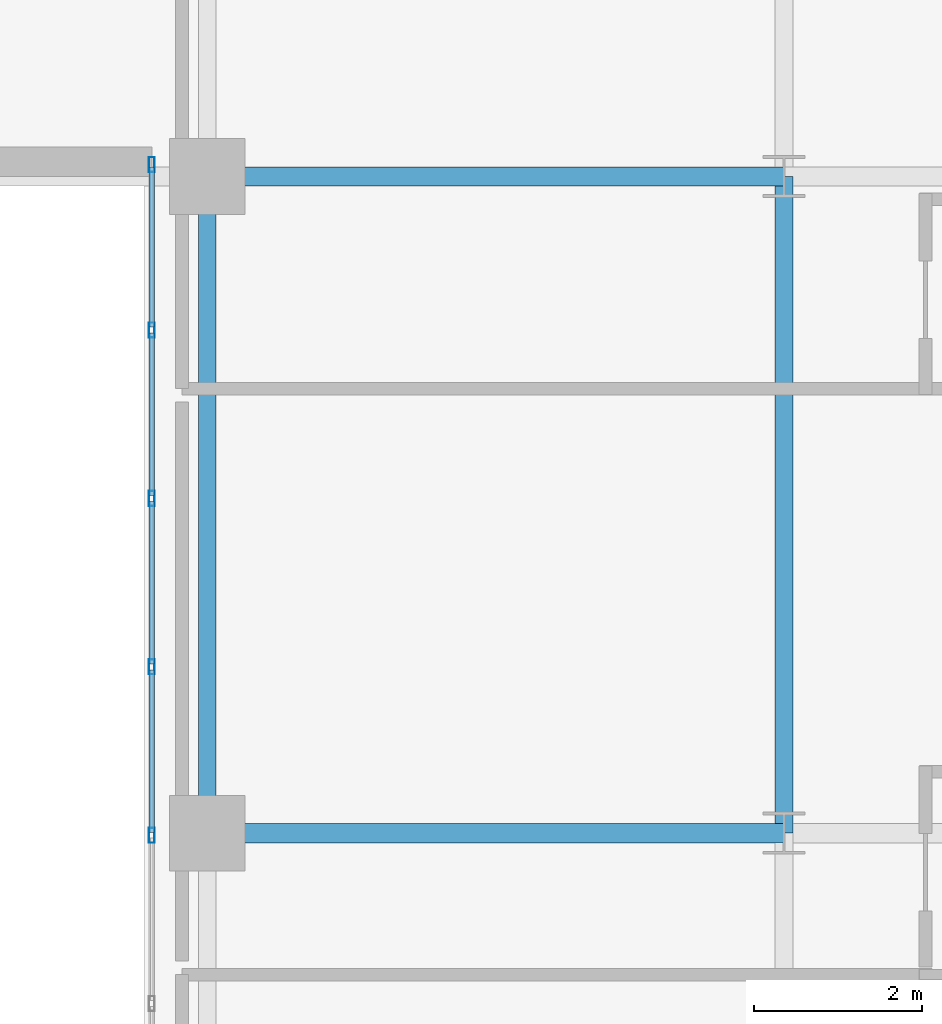
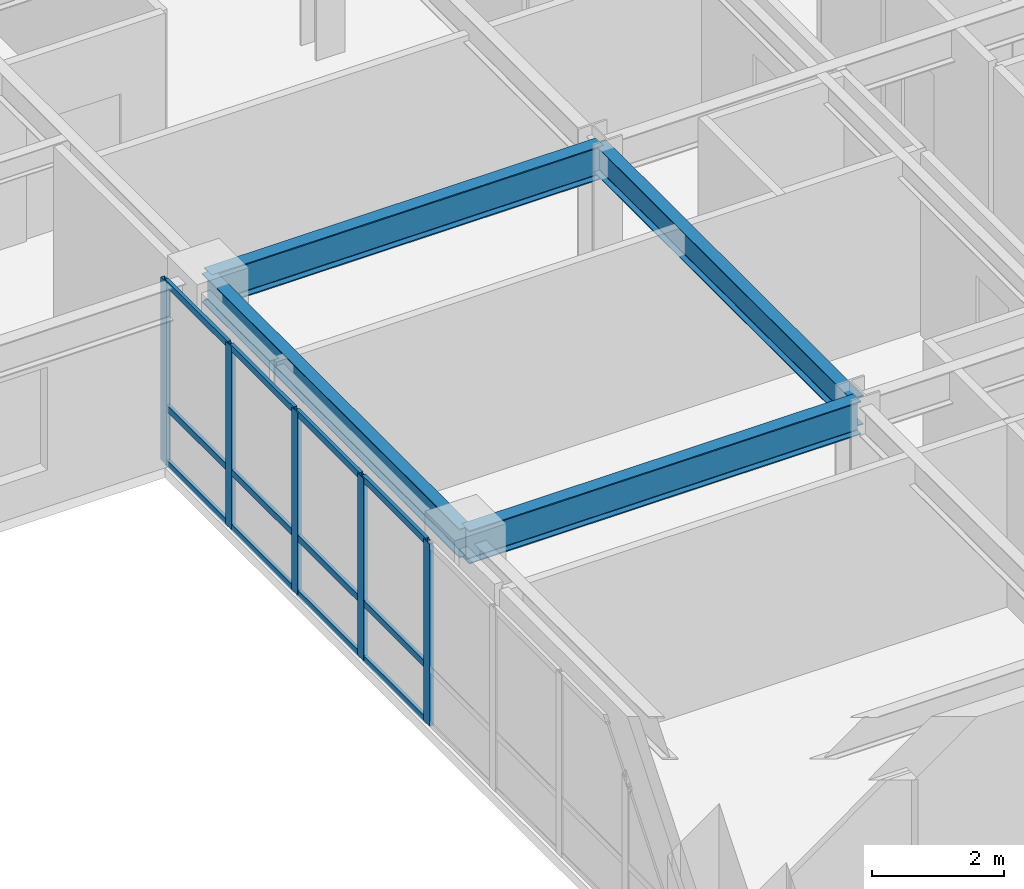
# One storey, part 7 of 17: 17 members, 4 beams, 1 element without a shape of its own.
"""IFC4 building model written with IfcOpenShell, lengths in metres."""

from ifc_helpers import new_model, si_unit, direction, frame, origin, origin_2d, place, context, subcontext, project, spatial, hollow_rectangle, i_section, extrude, source, transform, mapped, material, layer, layer_set, material_profile, profile_set, type_object, type_shapes, element, aggregate, save


model = new_model("IFC4")

# Units and contexts
model_context = context("Model", 3, precision=1e-05, world=origin(), true_north=direction((0.0, 1.0)))
body_context = subcontext(model_context, "Body", "Model", "MODEL_VIEW")
ifc_project = project(units=[si_unit("LENGTHUNIT", "METRE"), si_unit("AREAUNIT", "SQUARE_METRE"), si_unit("VOLUMEUNIT", "CUBIC_METRE"), si_unit("PLANEANGLEUNIT", "RADIAN"), si_unit("MASSUNIT", "GRAM", prefix="KILO")], contexts=[model_context])

# Site, building, storey
site_placement = place(None, origin())
site = spatial("IfcSite", under=ifc_project, at=site_placement, CompositionType="ELEMENT")
building_placement = place(site_placement, origin())
building = spatial("IfcBuilding", under=site, at=building_placement, Name="Tolvann Quenvar Hotel", CompositionType="ELEMENT")
storey_placement = place(building_placement, frame((0.0, 0.0, 129.300048828125)))
storey = spatial("IfcBuildingStorey", under=building, at=storey_placement, Name="L33", CompositionType="ELEMENT", Elevation=129.300048828125)

# Beams
ifc_material_1 = material(Name="Steel Grade 350", Category="steel")
ifc_material_profile_1 = material_profile(ifc_material_1, i_section(OverallWidth=0.22900390625, OverallDepth=0.612060546875, WebThickness=0.011962890625, FlangeThickness=0.01953125, FilletRadius=0.013916015625, at=origin_2d()), Name="610UB125")
ifc_profile_set_1 = profile_set([ifc_material_profile_1], Name="Steel Grade 350")
beam_type_1 = type_object("IfcBeamType", Name="BM_GIRD_610UB125", PredefinedType="BEAM", material=ifc_profile_set_1)
shared_shape_1 = source(origin(), body_context, "Body", "SweptSolid", [
    extrude(i_section(OverallWidth=0.22900390625, OverallDepth=0.612060546875, WebThickness=0.011962890625, FlangeThickness=0.01953125, FilletRadius=0.013916015625, at=origin_2d()), origin(), (0.0, 0.0, 1.0), 6.85009765625),
])
type_shapes(beam_type_1, [shared_shape_1])
for number, where, z_axis, x_axis, name in (
    (1, (34.949951171875, 8.199951171875, 3.06396484375), (1.0, 0.0, 0.0), (0.0, 1.0, 0.0), "BM-L33-EW-3-F3-H3"),
    (2, (34.949951171875, 16.0, 3.06396484375), (1.0, 0.0, 0.0), (0.0, 1.0, 0.0), "BM-L33-EW-4-F4-H4"),
):
    element("IfcBeam", number, at=place(storey_placement, frame(where, z_axis=z_axis, x_axis=x_axis)), inside=storey, type_object=beam_type_1, Name=name, PredefinedType="BEAM", context=body_context, shape_type="MappedRepresentation", body=[
        mapped(shared_shape_1, transform((0.0, 0.0, 0.0), x_axis=(1.0, 0.0, 0.0), y_axis=(0.0, 1.0, 0.0), z_axis=(0.0, 0.0, 1.0), scale=1.0)),
    ])
ifc_material_profile_2 = material_profile(ifc_material_1, i_section(OverallWidth=0.208984375, OverallDepth=0.532958984375, WebThickness=0.01025390625, FlangeThickness=0.015625, FilletRadius=0.013916015625, at=origin_2d()), Name="530UB92")
ifc_profile_set_2 = profile_set([ifc_material_profile_2], Name="Steel Grade 350")
beam_type_2 = type_object("IfcBeamType", Name="BM_GIRD_530UB92", PredefinedType="BEAM", material=ifc_profile_set_2)
shared_shape_2 = source(origin(), body_context, "Body", "SweptSolid", [
    extrude(i_section(OverallWidth=0.208984375, OverallDepth=0.532958984375, WebThickness=0.01025390625, FlangeThickness=0.015625, FilletRadius=0.013916015625, at=origin_2d()), origin(), (0.0, 0.0, 1.0), 7.800048828125),
])
type_shapes(beam_type_2, [shared_shape_2])
for number, where, z_axis, x_axis, name in (
    (3, (34.949951171875, 8.199951171875, 3.103515625), (0.0, 1.0, 0.0), (-1.0, 0.0, 0.0), "BM-L33-NS-F3-F4"),
    (4, (41.800048828125, 8.199951171875, 3.103515625), (0.0, 1.0, 0.0), (-1.0, 0.0, 0.0), "BM-L33-NS-H3-H4"),
):
    element("IfcBeam", number, at=place(storey_placement, frame(where, z_axis=z_axis, x_axis=x_axis)), inside=storey, type_object=beam_type_2, Name=name, PredefinedType="BEAM", context=body_context, shape_type="MappedRepresentation", body=[
        mapped(shared_shape_2, transform((0.0, 0.0, 0.0), x_axis=(1.0, 0.0, 0.0), y_axis=(0.0, 1.0, 0.0), z_axis=(0.0, 0.0, 1.0), scale=1.0)),
    ])

# Curtain wall, members
ifc_material_2 = material(Name="Thermally broken anodised architectural aluminium 6063-T6 and laminated low-E glass", Category="aluminium")
ifc_layer = layer(ifc_material_2, 0.179931640625)
ifc_layer_set = layer_set([ifc_layer], Name="Thermally broken anodised architectural aluminium 6063-T6 and laminated low-E glass")
curtain_wall_type = type_object("IfcCurtainWallType", Name="CW_SYS_SLOT_03", PredefinedType="USERDEFINED", material=ifc_layer_set)
curtain_wall_placement = place(storey_placement, origin())
curtain_wall = element("IfcCurtainWall", 5, at=curtain_wall_placement, inside=storey, type_object=curtain_wall_type, Name="Curtain Wall CW-SLOT-03 (CWR-L33-E07)", ObjectType="UNITISED CURTAIN WALL", PredefinedType="USERDEFINED")
ifc_material_3 = material(Name="Anodised architectural aluminium 6063-T6 framing", Category="aluminium")
ifc_material_profile_3 = material_profile(ifc_material_3, hollow_rectangle(XDim=0.06005859375, YDim=0.1201171875, WallThickness=0.00341796875, at=origin_2d()), Name="120x60x3.5RHS")
ifc_profile_set_3 = profile_set([ifc_material_profile_3], Name="Anodised architectural aluminium 6063-T6 framing")
member_type_1 = type_object("IfcMemberType", Name="CW_TRAN_120x60", PredefinedType="USERDEFINED", material=ifc_profile_set_3)
shared_shape_3 = source(origin(), body_context, "Body", "SweptSolid", [
    extrude(hollow_rectangle(XDim=0.06005859375, YDim=0.1201171875, WallThickness=0.00341796875, at=origin_2d()), origin(), (0.0, 0.0, 1.0), 1.929931640625),
])
member_1_placement = place(storey_placement, frame((34.2900390625, 14.139892578125, 0.030029296875), z_axis=(0.0, -1.0, 0.0), x_axis=(1.0, 0.0, 0.0)))
member_1 = element("IfcMember", 6, at=member_1_placement, type_object=member_type_1, Name="CW-SLOT-03 transom 2.1", ObjectType="TRANSOM", PredefinedType="USERDEFINED", context=body_context, shape_type="MappedRepresentation", body=[
    mapped(shared_shape_3, transform((0.0, 0.0, 0.0), x_axis=(1.0, 0.0, 0.0), y_axis=(0.0, 1.0, 0.0), z_axis=(0.0, 0.0, 1.0), scale=1.0)),
])
member_2_placement = place(storey_placement, frame((34.2900390625, 14.139892578125, 1.050048828125), z_axis=(0.0, -1.0, 0.0), x_axis=(1.0, 0.0, 0.0)))
member_2 = element("IfcMember", 7, at=member_2_placement, type_object=member_type_1, Name="CW-SLOT-03 transom 2.2", ObjectType="TRANSOM", PredefinedType="USERDEFINED", context=body_context, shape_type="MappedRepresentation", body=[
    mapped(shared_shape_3, transform((0.0, 0.0, 0.0), x_axis=(1.0, 0.0, 0.0), y_axis=(0.0, 1.0, 0.0), z_axis=(0.0, 0.0, 1.0), scale=1.0)),
])
member_3_placement = place(storey_placement, frame((34.2900390625, 14.139892578125, 3.33984375), z_axis=(0.0, -1.0, 0.0), x_axis=(1.0, 0.0, 0.0)))
member_3 = element("IfcMember", 8, at=member_3_placement, type_object=member_type_1, Name="CW-SLOT-03 transom 2.3", ObjectType="TRANSOM", PredefinedType="USERDEFINED", context=body_context, shape_type="MappedRepresentation", body=[
    mapped(shared_shape_3, transform((0.0, 0.0, 0.0), x_axis=(1.0, 0.0, 0.0), y_axis=(0.0, 1.0, 0.0), z_axis=(0.0, 0.0, 1.0), scale=1.0)),
])
member_4_placement = place(storey_placement, frame((34.2900390625, 12.139892578125, 0.030029296875), z_axis=(0.0, -1.0, 0.0), x_axis=(1.0, 0.0, 0.0)))
member_4 = element("IfcMember", 9, at=member_4_placement, type_object=member_type_1, Name="CW-SLOT-03 transom 3.1", ObjectType="TRANSOM", PredefinedType="USERDEFINED", context=body_context, shape_type="MappedRepresentation", body=[
    mapped(shared_shape_3, transform((0.0, 0.0, 0.0), x_axis=(1.0, 0.0, 0.0), y_axis=(0.0, 1.0, 0.0), z_axis=(0.0, 0.0, 1.0), scale=1.0)),
])
member_5_placement = place(storey_placement, frame((34.2900390625, 12.139892578125, 1.050048828125), z_axis=(0.0, -1.0, 0.0), x_axis=(1.0, 0.0, 0.0)))
member_5 = element("IfcMember", 10, at=member_5_placement, type_object=member_type_1, Name="CW-SLOT-03 transom 3.2", ObjectType="TRANSOM", PredefinedType="USERDEFINED", context=body_context, shape_type="MappedRepresentation", body=[
    mapped(shared_shape_3, transform((0.0, 0.0, 0.0), x_axis=(1.0, 0.0, 0.0), y_axis=(0.0, 1.0, 0.0), z_axis=(0.0, 0.0, 1.0), scale=1.0)),
])
member_6_placement = place(storey_placement, frame((34.2900390625, 12.139892578125, 3.33984375), z_axis=(0.0, -1.0, 0.0), x_axis=(1.0, 0.0, 0.0)))
member_6 = element("IfcMember", 11, at=member_6_placement, type_object=member_type_1, Name="CW-SLOT-03 transom 3.3", ObjectType="TRANSOM", PredefinedType="USERDEFINED", context=body_context, shape_type="MappedRepresentation", body=[
    mapped(shared_shape_3, transform((0.0, 0.0, 0.0), x_axis=(1.0, 0.0, 0.0), y_axis=(0.0, 1.0, 0.0), z_axis=(0.0, 0.0, 1.0), scale=1.0)),
])
member_7_placement = place(storey_placement, frame((34.2900390625, 10.139892578125, 0.030029296875), z_axis=(0.0, -1.0, 0.0), x_axis=(1.0, 0.0, 0.0)))
member_7 = element("IfcMember", 12, at=member_7_placement, type_object=member_type_1, Name="CW-SLOT-03 transom 4.1", ObjectType="TRANSOM", PredefinedType="USERDEFINED", context=body_context, shape_type="MappedRepresentation", body=[
    mapped(shared_shape_3, transform((0.0, 0.0, 0.0), x_axis=(1.0, 0.0, 0.0), y_axis=(0.0, 1.0, 0.0), z_axis=(0.0, 0.0, 1.0), scale=1.0)),
])
member_8_placement = place(storey_placement, frame((34.2900390625, 10.139892578125, 1.050048828125), z_axis=(0.0, -1.0, 0.0), x_axis=(1.0, 0.0, 0.0)))
member_8 = element("IfcMember", 13, at=member_8_placement, type_object=member_type_1, Name="CW-SLOT-03 transom 4.2", ObjectType="TRANSOM", PredefinedType="USERDEFINED", context=body_context, shape_type="MappedRepresentation", body=[
    mapped(shared_shape_3, transform((0.0, 0.0, 0.0), x_axis=(1.0, 0.0, 0.0), y_axis=(0.0, 1.0, 0.0), z_axis=(0.0, 0.0, 1.0), scale=1.0)),
])
member_9_placement = place(storey_placement, frame((34.2900390625, 10.139892578125, 3.33984375), z_axis=(0.0, -1.0, 0.0), x_axis=(1.0, 0.0, 0.0)))
member_9 = element("IfcMember", 14, at=member_9_placement, type_object=member_type_1, Name="CW-SLOT-03 transom 4.3", ObjectType="TRANSOM", PredefinedType="USERDEFINED", context=body_context, shape_type="MappedRepresentation", body=[
    mapped(shared_shape_3, transform((0.0, 0.0, 0.0), x_axis=(1.0, 0.0, 0.0), y_axis=(0.0, 1.0, 0.0), z_axis=(0.0, 0.0, 1.0), scale=1.0)),
])
shared_shape_4 = source(origin(), body_context, "Body", "SweptSolid", [
    extrude(hollow_rectangle(XDim=0.06005859375, YDim=0.1201171875, WallThickness=0.00341796875, at=origin_2d()), origin(), (0.0, 0.0, 1.0), 1.89501953125),
])
type_shapes(member_type_1, [shared_shape_3, shared_shape_4])
member_10_placement = place(storey_placement, frame((34.2900390625, 16.10498046875, 0.030029296875), z_axis=(0.0, -1.0, 0.0), x_axis=(1.0, 0.0, 0.0)))
member_10 = element("IfcMember", 15, at=member_10_placement, type_object=member_type_1, Name="CW-SLOT-03 transom 1.1", ObjectType="TRANSOM", PredefinedType="USERDEFINED", context=body_context, shape_type="MappedRepresentation", body=[
    mapped(shared_shape_4, transform((0.0, 0.0, 0.0), x_axis=(1.0, 0.0, 0.0), y_axis=(0.0, 1.0, 0.0), z_axis=(0.0, 0.0, 1.0), scale=1.0)),
])
member_11_placement = place(storey_placement, frame((34.2900390625, 16.10498046875, 1.050048828125), z_axis=(0.0, -1.0, 0.0), x_axis=(1.0, 0.0, 0.0)))
member_11 = element("IfcMember", 16, at=member_11_placement, type_object=member_type_1, Name="CW-SLOT-03 transom 1.2", ObjectType="TRANSOM", PredefinedType="USERDEFINED", context=body_context, shape_type="MappedRepresentation", body=[
    mapped(shared_shape_4, transform((0.0, 0.0, 0.0), x_axis=(1.0, 0.0, 0.0), y_axis=(0.0, 1.0, 0.0), z_axis=(0.0, 0.0, 1.0), scale=1.0)),
])
member_12_placement = place(storey_placement, frame((34.2900390625, 16.10498046875, 3.33984375), z_axis=(0.0, -1.0, 0.0), x_axis=(1.0, 0.0, 0.0)))
member_12 = element("IfcMember", 17, at=member_12_placement, type_object=member_type_1, Name="CW-SLOT-03 transom 1.3", ObjectType="TRANSOM", PredefinedType="USERDEFINED", context=body_context, shape_type="MappedRepresentation", body=[
    mapped(shared_shape_4, transform((0.0, 0.0, 0.0), x_axis=(1.0, 0.0, 0.0), y_axis=(0.0, 1.0, 0.0), z_axis=(0.0, 0.0, 1.0), scale=1.0)),
])
ifc_material_profile_4 = material_profile(ifc_material_3, hollow_rectangle(XDim=0.070068359375, YDim=0.179931640625, WallThickness=0.00390625, at=origin_2d()), Name="180x70x4RHS")
ifc_profile_set_4 = profile_set([ifc_material_profile_4], Name="Anodised architectural aluminium 6063-T6 framing")
member_type_2 = type_object("IfcMemberType", Name="CW_MULL_180x70", PredefinedType="MULLION", material=ifc_profile_set_4)
shared_shape_5 = source(origin(), body_context, "Body", "SweptSolid", [
    extrude(hollow_rectangle(XDim=0.070068359375, YDim=0.179931640625, WallThickness=0.00390625, at=origin_2d()), origin(), (0.0, 0.0, 1.0), 3.369873046875),
])
type_shapes(member_type_2, [shared_shape_5])
member_13_placement = place(storey_placement, frame((34.2900390625, 16.139892578125, 0.0), z_axis=(0.0, 0.0, 1.0), x_axis=(1.0, 0.0, 0.0)))
member_13 = element("IfcMember", 18, at=member_13_placement, type_object=member_type_2, Name="CW-SLOT-03 mullion 1", PredefinedType="MULLION", context=body_context, shape_type="MappedRepresentation", body=[
    mapped(shared_shape_5, transform((0.0, 0.0, 0.0), x_axis=(1.0, 0.0, 0.0), y_axis=(0.0, 1.0, 0.0), z_axis=(0.0, 0.0, 1.0), scale=1.0)),
])
member_14_placement = place(storey_placement, frame((34.2900390625, 14.175048828125, 0.0), z_axis=(0.0, 0.0, 1.0), x_axis=(1.0, 0.0, 0.0)))
member_14 = element("IfcMember", 19, at=member_14_placement, type_object=member_type_2, Name="CW-SLOT-03 mullion 2", PredefinedType="MULLION", context=body_context, shape_type="MappedRepresentation", body=[
    mapped(shared_shape_5, transform((0.0, 0.0, 0.0), x_axis=(1.0, 0.0, 0.0), y_axis=(0.0, 1.0, 0.0), z_axis=(0.0, 0.0, 1.0), scale=1.0)),
])
member_15_placement = place(storey_placement, frame((34.2900390625, 12.175048828125, 0.0), z_axis=(0.0, 0.0, 1.0), x_axis=(1.0, 0.0, 0.0)))
member_15 = element("IfcMember", 20, at=member_15_placement, type_object=member_type_2, Name="CW-SLOT-03 mullion 3", PredefinedType="MULLION", context=body_context, shape_type="MappedRepresentation", body=[
    mapped(shared_shape_5, transform((0.0, 0.0, 0.0), x_axis=(1.0, 0.0, 0.0), y_axis=(0.0, 1.0, 0.0), z_axis=(0.0, 0.0, 1.0), scale=1.0)),
])
member_16_placement = place(storey_placement, frame((34.2900390625, 10.175048828125, 0.0), z_axis=(0.0, 0.0, 1.0), x_axis=(1.0, 0.0, 0.0)))
member_16 = element("IfcMember", 21, at=member_16_placement, type_object=member_type_2, Name="CW-SLOT-03 mullion 4", PredefinedType="MULLION", context=body_context, shape_type="MappedRepresentation", body=[
    mapped(shared_shape_5, transform((0.0, 0.0, 0.0), x_axis=(1.0, 0.0, 0.0), y_axis=(0.0, 1.0, 0.0), z_axis=(0.0, 0.0, 1.0), scale=1.0)),
])
member_17_placement = place(storey_placement, frame((34.2900390625, 8.175048828125, 0.0), z_axis=(0.0, 0.0, 1.0), x_axis=(1.0, 0.0, 0.0)))
member_17 = element("IfcMember", 22, at=member_17_placement, type_object=member_type_2, Name="CW-SLOT-03 mullion 5", PredefinedType="MULLION", context=body_context, shape_type="MappedRepresentation", body=[
    mapped(shared_shape_5, transform((0.0, 0.0, 0.0), x_axis=(1.0, 0.0, 0.0), y_axis=(0.0, 1.0, 0.0), z_axis=(0.0, 0.0, 1.0), scale=1.0)),
])
aggregate(curtain_wall, [member_13, member_14, member_15, member_16, member_17, member_10, member_11, member_12, member_1, member_2, member_3, member_4, member_5, member_6, member_7, member_8, member_9])

save(model, "model.ifc")
